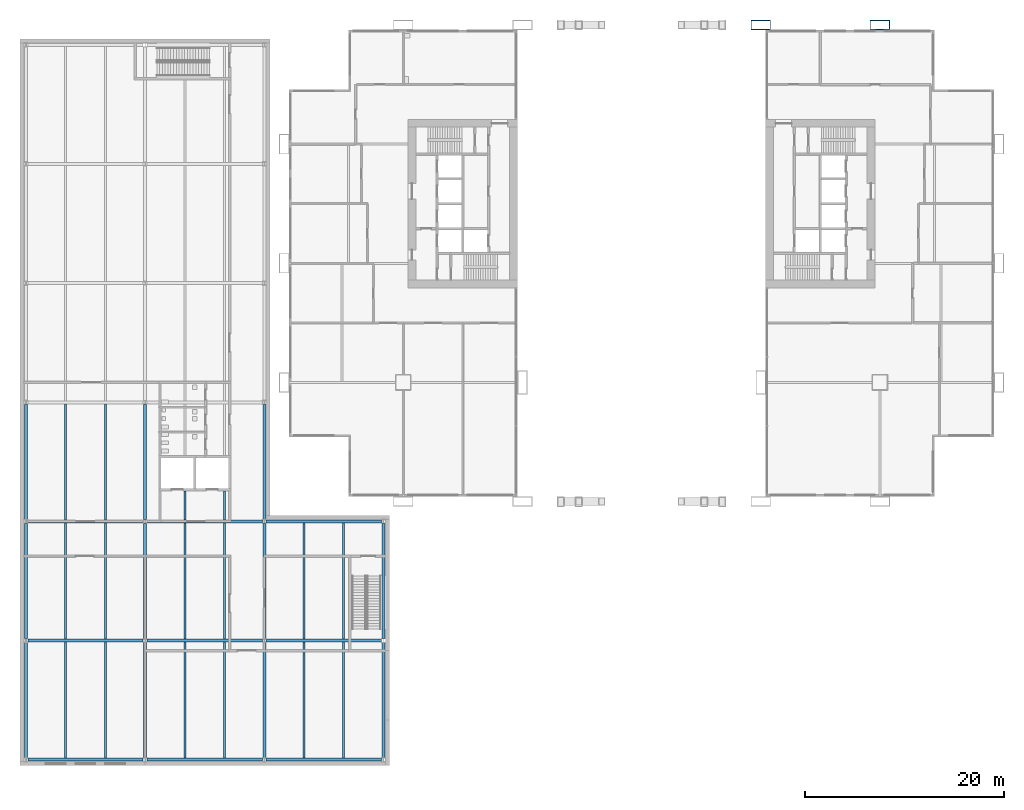
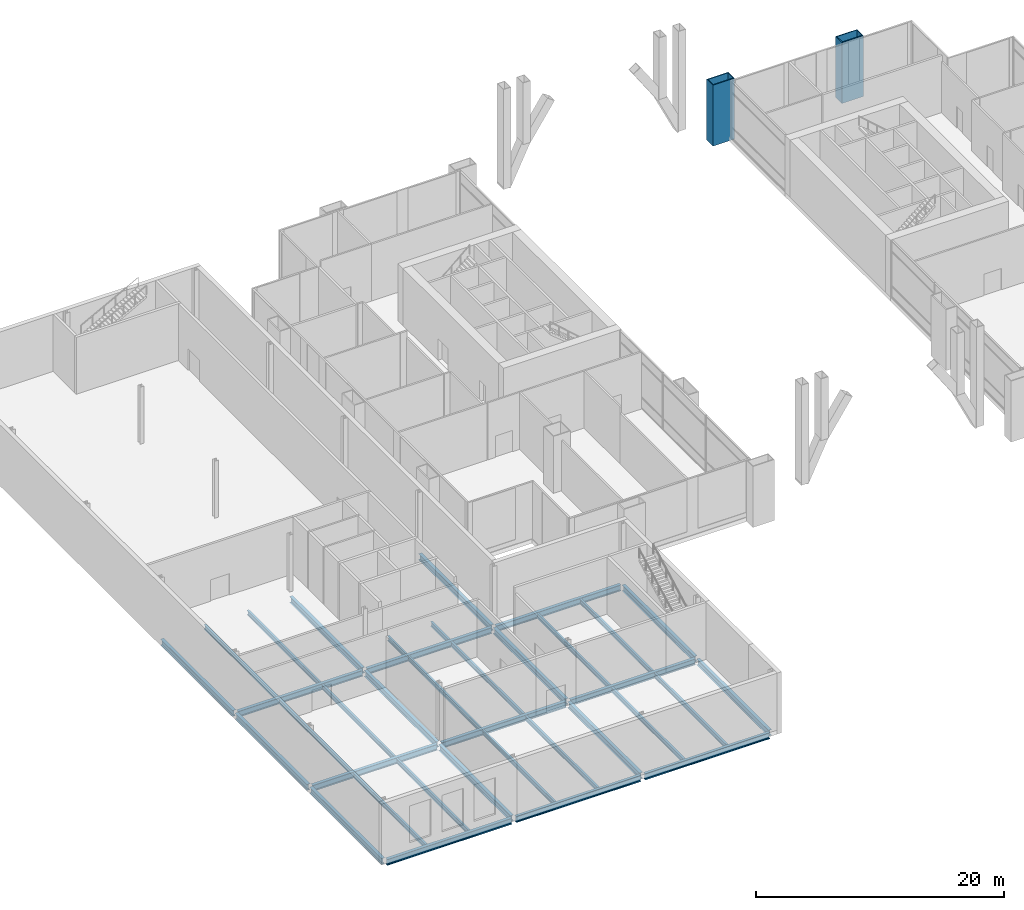
# One storey, part 6 of 25: 36 beams, 2 columns.
"""IFC4 building model written with IfcOpenShell, lengths in metres."""

from ifc_helpers import new_model, si_unit, direction, frame, origin, origin_2d, place, context, subcontext, project, spatial, hollow_rectangle, i_section, extrude, material, material_profile, profile_set, type_object, element, save


model = new_model("IFC4")

# Units and contexts
model_context = context("Model", 3, precision=1e-05, world=origin(), true_north=direction((0.0, 1.0)))
body_context = subcontext(model_context, "Body", "Model", "MODEL_VIEW")
ifc_project = project(units=[si_unit("LENGTHUNIT", "METRE"), si_unit("AREAUNIT", "SQUARE_METRE"), si_unit("VOLUMEUNIT", "CUBIC_METRE"), si_unit("PLANEANGLEUNIT", "RADIAN"), si_unit("MASSUNIT", "GRAM", prefix="KILO")], contexts=[model_context])

# Site, building, storey
site_placement = place(None, origin())
site = spatial("IfcSite", under=ifc_project, at=site_placement, CompositionType="ELEMENT")
building_placement = place(site_placement, origin())
building = spatial("IfcBuilding", under=site, at=building_placement, Name="Kitamizu Gate Tower and Museum", CompositionType="ELEMENT")
storey_placement = place(building_placement, frame((0.0, 0.0, 12.0)))
storey = spatial("IfcBuildingStorey", under=building, at=storey_placement, Name="L02", CompositionType="ELEMENT", Elevation=12.0)

# Columns
ifc_material_1 = material(Name="Steel SM490A bronze coated", Category="steel")
ifc_material_profile_1 = material_profile(ifc_material_1, hollow_rectangle(XDim=2.0, YDim=1.0, WallThickness=0.080078125, at=origin_2d()), Name="BOX 2000x1000x80")
ifc_profile_set_1 = profile_set([ifc_material_profile_1], Name="Steel SM490A bronze coated")
column_type = type_object("IfcColumnType", Name="Podium leg column LC1 BOX 2000x1000x80", PredefinedType="COLUMN", material=ifc_profile_set_1)
for number, where, z_axis, x_axis, name in (
    (1, (48.0, 48.0, -0.39990234375), (0.0, 0.0, 1.0), (1.0, 0.0, 0.0), "Column LC1 5E L02"),
    (2, (60.0, 48.0, -0.39990234375), (0.0, 0.0, 1.0), (1.0, 0.0, 0.0), "Column LC1 6E L02"),
):
    element("IfcColumn", number, at=place(storey_placement, frame(where, z_axis=z_axis, x_axis=x_axis)), inside=storey, type_object=column_type, Name=name, PredefinedType="COLUMN", context=body_context, shape_type="SweptSolid", body=[
        extrude(hollow_rectangle(XDim=2.0, YDim=1.0, WallThickness=0.080078125, at=origin_2d()), origin(), (0.0, 0.0, 1.0), 6.0),
    ])

# Beams
ifc_material_2 = material(Name="Steel SS400", Category="steel")
ifc_material_profile_2 = material_profile(ifc_material_2, i_section(OverallWidth=0.300048828125, OverallDepth=0.587890625, WebThickness=0.011962890625, FlangeThickness=0.02001953125, FilletRadius=0.028076171875, at=origin_2d()), Name="H-588x300x12x20")
ifc_profile_set_2 = profile_set([ifc_material_profile_2], Name="Steel SS400")
beam_type_1 = type_object("IfcBeamType", Name="Museum girder H 588x300x12x20", PredefinedType="BEAM", material=ifc_profile_set_2)
for number, where, z_axis, x_axis, name in (
    (3, (-25.800048828125, -26.0, -0.694091796875), (1.0, 0.0, 0.0), (0.0, 1.0, 0.0), "Girder xM1M2MA"),
    (4, (-25.800048828125, -14.0, -0.694091796875), (1.0, 0.0, 0.0), (0.0, 1.0, 0.0), "Girder xM1M2MB"),
    (5, (-25.800048828125, -2.0, -0.694091796875), (1.0, 0.0, 0.0), (0.0, 1.0, 0.0), "Girder xM1M2MC"),
    (6, (-13.800048828125, -26.0, -0.694091796875), (1.0, 0.0, 0.0), (0.0, 1.0, 0.0), "Girder xM2M3MA"),
    (7, (-13.800048828125, -14.0, -0.694091796875), (1.0, 0.0, 0.0), (0.0, 1.0, 0.0), "Girder xM2M3MB"),
    (8, (-13.800048828125, -2.0, -0.694091796875), (1.0, 0.0, 0.0), (0.0, 1.0, 0.0), "Girder xM2M3MC"),
    (9, (-1.800048828125, -26.0, -0.694091796875), (1.0, 0.0, 0.0), (0.0, 1.0, 0.0), "Girder xM3M4MA"),
    (10, (-1.800048828125, -14.0, -0.694091796875), (1.0, 0.0, 0.0), (0.0, 1.0, 0.0), "Girder xM3M4MB"),
    (11, (-1.800048828125, -2.0, -0.694091796875), (1.0, 0.0, 0.0), (0.0, 1.0, 0.0), "Girder xM3M4MC"),
    (12, (-26.0, -25.800048828125, -0.694091796875), (0.0, 1.0, 0.0), (-1.0, 0.0, 0.0), "Girder yM1MAMB"),
    (13, (-14.0, -25.800048828125, -0.694091796875), (0.0, 1.0, 0.0), (-1.0, 0.0, 0.0), "Girder yM2MAMB"),
    (14, (-2.0, -25.800048828125, -0.694091796875), (0.0, 1.0, 0.0), (-1.0, 0.0, 0.0), "Girder yM3MAMB"),
    (15, (10.0, -25.800048828125, -0.694091796875), (0.0, 1.0, 0.0), (-1.0, 0.0, 0.0), "Girder yM4MAMB"),
    (16, (-26.0, -13.800048828125, -0.694091796875), (0.0, 1.0, 0.0), (-1.0, 0.0, 0.0), "Girder yM1MBMC"),
    (17, (-14.0, -13.800048828125, -0.694091796875), (0.0, 1.0, 0.0), (-1.0, 0.0, 0.0), "Girder yM2MBMC"),
    (18, (-2.0, -13.800048828125, -0.694091796875), (0.0, 1.0, 0.0), (-1.0, 0.0, 0.0), "Girder yM3MBMC"),
    (19, (10.0, -13.800048828125, -0.694091796875), (0.0, 1.0, 0.0), (-1.0, 0.0, 0.0), "Girder yM4MBMC"),
    (20, (-26.0, -1.800048828125, -0.694091796875), (0.0, 1.0, 0.0), (-1.0, 0.0, 0.0), "Girder yM1MCMD"),
    (21, (-14.0, -1.800048828125, -0.694091796875), (0.0, 1.0, 0.0), (-1.0, 0.0, 0.0), "Girder yM2MCMD"),
    (22, (-2.0, -1.800048828125, -0.694091796875), (0.0, 1.0, 0.0), (-1.0, 0.0, 0.0), "Girder yM3MCMD"),
):
    element("IfcBeam", number, at=place(storey_placement, frame(where, z_axis=z_axis, x_axis=x_axis)), inside=storey, type_object=beam_type_1, Name=name, PredefinedType="BEAM", context=body_context, shape_type="SweptSolid", body=[
        extrude(i_section(OverallWidth=0.300048828125, OverallDepth=0.587890625, WebThickness=0.011962890625, FlangeThickness=0.02001953125, FilletRadius=0.028076171875, at=origin_2d()), origin(), (0.0, 0.0, 1.0), 11.60009765625),
    ])
ifc_material_3 = material(Name="Steel SS400", Category="steel")
ifc_material_profile_3 = material_profile(ifc_material_3, i_section(OverallWidth=0.199951171875, OverallDepth=0.449951171875, WebThickness=0.009033203125, FlangeThickness=0.013916015625, FilletRadius=0.01806640625, at=origin_2d()), Name="H-450x200x9x14")
ifc_profile_set_3 = profile_set([ifc_material_profile_3], Name="Steel SS400")
beam_type_2 = type_object("IfcBeamType", Name="Museum secondary beam H 450x200x9x14", PredefinedType="JOIST", material=ifc_profile_set_3)
for number, where, z_axis, x_axis, name in (
    (23, (-22.0, -25.85009765625, -0.625), (0.0, 1.0, 0.0), (-1.0, 0.0, 0.0), "Secondary beam M1M2MAMB.1"),
    (24, (-18.0, -25.85009765625, -0.625), (0.0, 1.0, 0.0), (-1.0, 0.0, 0.0), "Secondary beam M1M2MAMB.2"),
    (25, (-22.0, -13.85009765625, -0.625), (0.0, 1.0, 0.0), (-1.0, 0.0, 0.0), "Secondary beam M1M2MBMC.1"),
    (26, (-18.0, -13.85009765625, -0.625), (0.0, 1.0, 0.0), (-1.0, 0.0, 0.0), "Secondary beam M1M2MBMC.2"),
    (27, (-22.0, -1.85009765625, -0.625), (0.0, 1.0, 0.0), (-1.0, 0.0, 0.0), "Secondary beam M1M2MCMD.1"),
    (28, (-18.0, -1.85009765625, -0.625), (0.0, 1.0, 0.0), (-1.0, 0.0, 0.0), "Secondary beam M1M2MCMD.2"),
    (29, (-10.0, -25.85009765625, -0.625), (0.0, 1.0, 0.0), (-1.0, 0.0, 0.0), "Secondary beam M2M3MAMB.1"),
    (30, (-6.0, -25.85009765625, -0.625), (0.0, 1.0, 0.0), (-1.0, 0.0, 0.0), "Secondary beam M2M3MAMB.2"),
    (31, (-10.0, -13.85009765625, -0.625), (0.0, 1.0, 0.0), (-1.0, 0.0, 0.0), "Secondary beam M2M3MBMC.1"),
    (32, (-6.0, -13.85009765625, -0.625), (0.0, 1.0, 0.0), (-1.0, 0.0, 0.0), "Secondary beam M2M3MBMC.2"),
):
    element("IfcBeam", number, at=place(storey_placement, frame(where, z_axis=z_axis, x_axis=x_axis)), inside=storey, type_object=beam_type_2, Name=name, PredefinedType="JOIST", context=body_context, shape_type="SweptSolid", body=[
        extrude(i_section(OverallWidth=0.199951171875, OverallDepth=0.449951171875, WebThickness=0.009033203125, FlangeThickness=0.013916015625, FilletRadius=0.01806640625, at=origin_2d()), origin(), (0.0, 0.0, 1.0), 11.7001953125),
    ])
for number, where, z_axis, x_axis, name in (
    (33, (-10.0, -1.85009765625, -0.625), (0.0, 1.0, 0.0), (-1.0, 0.0, 0.0), "Secondary beam M2M3MCMD.1"),
    (34, (-6.0, -1.85009765625, -0.625), (0.0, 1.0, 0.0), (-1.0, 0.0, 0.0), "Secondary beam M2M3MCMD.2"),
):
    element("IfcBeam", number, at=place(storey_placement, frame(where, z_axis=z_axis, x_axis=x_axis)), inside=storey, type_object=beam_type_2, Name=name, PredefinedType="JOIST", context=body_context, shape_type="SweptSolid", body=[
        extrude(i_section(OverallWidth=0.199951171875, OverallDepth=0.449951171875, WebThickness=0.009033203125, FlangeThickness=0.013916015625, FilletRadius=0.01806640625, at=origin_2d()), origin(), (0.0, 0.0, 1.0), 2.925048828125),
    ])
for number, where, z_axis, x_axis, name in (
    (35, (2.0, -25.85009765625, -0.625), (0.0, 1.0, 0.0), (-1.0, 0.0, 0.0), "Secondary beam M3M4MAMB.1"),
    (36, (6.0, -25.85009765625, -0.625), (0.0, 1.0, 0.0), (-1.0, 0.0, 0.0), "Secondary beam M3M4MAMB.2"),
    (37, (2.0, -13.85009765625, -0.625), (0.0, 1.0, 0.0), (-1.0, 0.0, 0.0), "Secondary beam M3M4MBMC.1"),
    (38, (6.0, -13.85009765625, -0.625), (0.0, 1.0, 0.0), (-1.0, 0.0, 0.0), "Secondary beam M3M4MBMC.2"),
):
    element("IfcBeam", number, at=place(storey_placement, frame(where, z_axis=z_axis, x_axis=x_axis)), inside=storey, type_object=beam_type_2, Name=name, PredefinedType="JOIST", context=body_context, shape_type="SweptSolid", body=[
        extrude(i_section(OverallWidth=0.199951171875, OverallDepth=0.449951171875, WebThickness=0.009033203125, FlangeThickness=0.013916015625, FilletRadius=0.01806640625, at=origin_2d()), origin(), (0.0, 0.0, 1.0), 11.7001953125),
    ])

save(model, "model.ifc")
